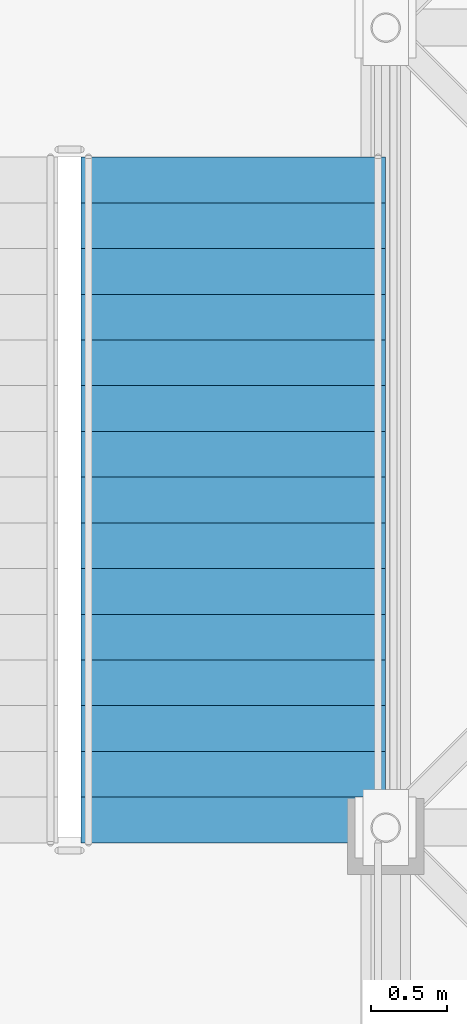
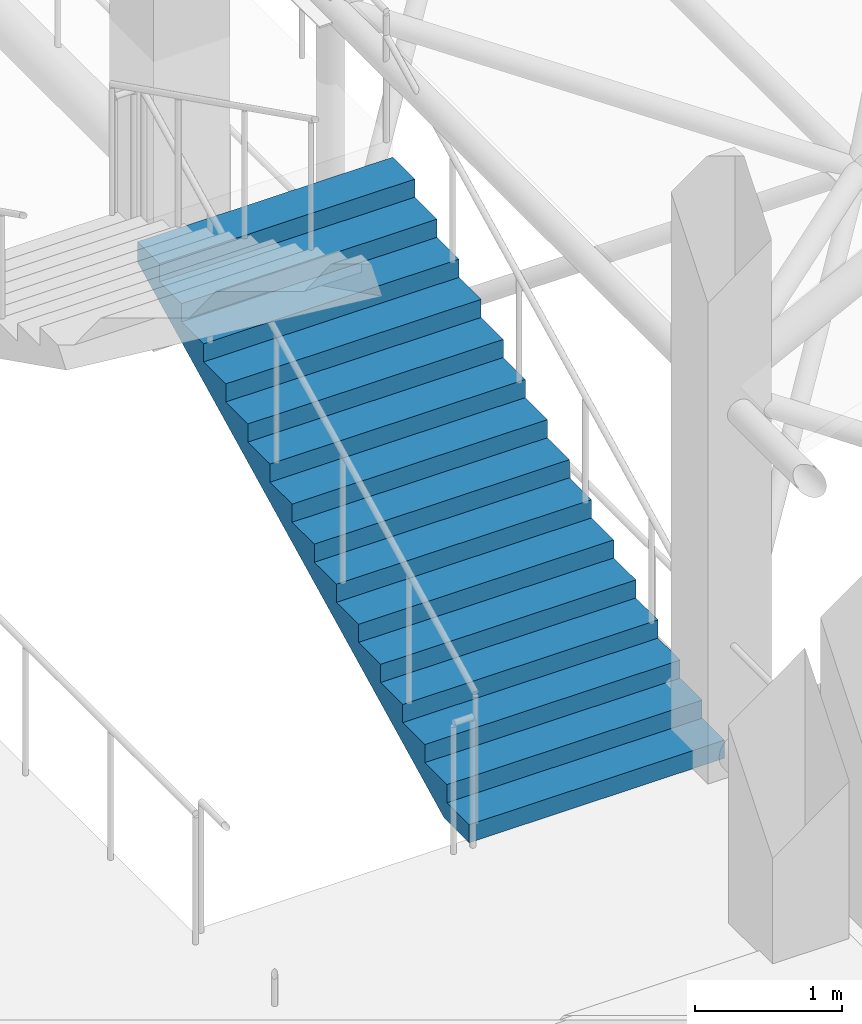
# One storey, part 82 of 100: 1 stair flight, 1 element without a shape of its own.
"""IFC4 building model written with IfcOpenShell, lengths in metres."""

import ifcopenshell
import ifcopenshell.guid

model = None  # the IFC model being written
_history = None  # IfcOwnerHistory: only IFC2X3 demands one
_inside = {}  # id of a spatial element -> (the spatial element, [elements in it])
_under = {}  # id of a project, library or spatial element -> (it, [spatial elements below it])
_declared = {}  # id of a project -> (the project, [libraries it declares])
_typed = {}  # id of a type object -> (the type object, [elements of that type])
_made_of = {}  # id of a material, layer set ... -> (it, [elements and type objects made of it])


def new_model(schema):
    """Start an empty IFC model of exactly this schema.

    Asked for "IFC4X3", IfcOpenShell would pick the latest addendum, in which some entities
    have other attributes; the version numbers below select the first issue.
    IFC2X3 requires an IfcOwnerHistory on every rooted entity: one is made here for all.
    """
    global model, _history
    if schema == "IFC4X3":
        model = ifcopenshell.file(schema_version=(4, 3, 0, 0))
    else:
        model = ifcopenshell.file(schema=schema)
    _inside.clear()
    _under.clear()
    _declared.clear()
    _typed.clear()
    _made_of.clear()
    _history = None
    if model.schema == "IFC2X3":
        org = make("IfcOrganization", Name="unknown")
        user = make(
            "IfcPersonAndOrganization",
            ThePerson=make("IfcPerson", FamilyName="unknown"),
            TheOrganization=org,
        )
        app = make(
            "IfcApplication",
            ApplicationDeveloper=org,
            Version="unknown",
            ApplicationFullName="unknown",
            ApplicationIdentifier="unknown",
        )
        _history = make(
            "IfcOwnerHistory",
            OwningUser=user,
            OwningApplication=app,
            ChangeAction="ADDED",
            CreationDate=0,
        )
    return model


def make(cls, **values):
    """One entity of the class cls with the attributes given. An attribute that is None is left unset."""
    return model.create_entity(
        cls, **{name: value for name, value in values.items() if value is not None}
    )


def rooted(cls, **values):
    """An entity with a GlobalId (a new one), such as an element, a storey or a relation."""
    return make(cls, GlobalId=ifcopenshell.guid.new(), OwnerHistory=_history, **values)


def si_unit(unit_type, name, prefix=None):
    """IfcSIUnit, for example si_unit("LENGTHUNIT", "METRE", prefix="MILLI")."""
    return make("IfcSIUnit", UnitType=unit_type, Prefix=prefix, Name=name)


def assignment(units):
    """IfcUnitAssignment: the units of a project."""
    return None if units is None else make("IfcUnitAssignment", Units=units)


def point(xyz):
    """IfcCartesianPoint."""
    return None if xyz is None else make("IfcCartesianPoint", Coordinates=xyz)


def direction(xyz):
    """IfcDirection."""
    return None if xyz is None else make("IfcDirection", DirectionRatios=xyz)


def frame(location, z_axis=None, x_axis=None):
    """IfcAxis2Placement3D, a coordinate frame: its origin and axes. An axis left out is left unset."""
    return make(
        "IfcAxis2Placement3D",
        Location=point(location),
        Axis=direction(z_axis),
        RefDirection=direction(x_axis),
    )


def origin():
    """The frame at (0, 0, 0) with its axes left unset."""
    return frame((0.0, 0.0, 0.0))


def place(relative_to, where):
    """IfcLocalPlacement: puts the frame where relative to a parent placement (None: the world)."""
    return make(
        "IfcLocalPlacement", PlacementRelTo=relative_to, RelativePlacement=where
    )


def context(
    kind, dimensions, precision=None, world=None, true_north=None, identifier=None
):
    """IfcGeometricRepresentationContext, for example the 3D "Model" context."""
    return make(
        "IfcGeometricRepresentationContext",
        ContextIdentifier=identifier,
        ContextType=kind,
        CoordinateSpaceDimension=dimensions,
        Precision=precision,
        WorldCoordinateSystem=world,
        TrueNorth=true_north,
    )


def subcontext(parent, identifier, kind, view, scale=None):
    """IfcGeometricRepresentationSubContext, for example "Body" below "Model"."""
    return make(
        "IfcGeometricRepresentationSubContext",
        ContextIdentifier=identifier,
        ContextType=kind,
        ParentContext=parent,
        TargetScale=scale,
        TargetView=view,
    )


def project(units=None, contexts=None):
    """IfcProject with its units and contexts."""
    return rooted(
        "IfcProject",
        Name="project",
        RepresentationContexts=contexts,
        UnitsInContext=assignment(units),
    )


def spatial(cls, under=None, at=None, **own):
    """A site, building, storey or space (cls), placed at a placement, below another one or the project."""
    s = rooted(cls, ObjectPlacement=at, **own)
    if under is not None:
        _under.setdefault(under.id(), (under, []))[1].append(s)
    return s


def faces_of(points, faces, orient=None, outer=None):
    """IfcFace entities. A face is a list of loops; a loop is a list of indices into points, from 0.

    orient and outer hold one flag for each loop. By default every Orientation is true, the
    first loop of a face is its IfcFaceOuterBound and the others are IfcFaceBound.
    """
    made = []
    for i, loops in enumerate(faces):
        bounds = []
        for j, loop in enumerate(loops):
            is_outer = j == 0 if outer is None else outer[i][j]
            bounds.append(
                make(
                    "IfcFaceOuterBound" if is_outer else "IfcFaceBound",
                    Bound=make("IfcPolyLoop", Polygon=[points[k] for k in loop]),
                    Orientation=True if orient is None else orient[i][j],
                )
            )
        made.append(make("IfcFace", Bounds=bounds))
    return made


def faceted_brep(points, faces, orient=None, outer=None, voids=None):
    """IfcFacetedBrep: a solid bounded by flat faces; with voids (closed shells), ...WithVoids."""
    shared = [point(p) for p in points]
    hull = make("IfcClosedShell", CfsFaces=faces_of(shared, faces, orient, outer))
    if voids is None:
        return make("IfcFacetedBrep", Outer=hull)
    return make(
        "IfcFacetedBrepWithVoids",
        Outer=hull,
        Voids=[
            make(cls, CfsFaces=faces_of(shared, fs, o, b)) for cls, fs, o, b in voids
        ],
    )


def shape(context_of_items, identifier, shape_type, items):
    """IfcShapeRepresentation: the items that make up one representation, for example the "Body"."""
    return make(
        "IfcShapeRepresentation",
        ContextOfItems=context_of_items,
        RepresentationIdentifier=identifier,
        RepresentationType=shape_type,
        Items=items,
    )


def material(Name=None, Category=None):
    """IfcMaterial."""
    return make("IfcMaterial", Name=Name, Category=Category)


def made_of(thing, what):
    """Note that an element or type object is made of a material, layer set ...; save() writes the relation."""
    if what is not None:
        _made_of.setdefault(what.id(), (what, []))[1].append(thing)
    return thing


def type_object(cls, material=None, **own):
    """A type object (cls), such as IfcWallType, which elements share."""
    return made_of(rooted(cls, **own), material)


def element(
    cls,
    number,
    at=None,
    inside=None,
    cuts=None,
    type_object=None,
    material=None,
    context=None,
    identifier="Body",
    shape_type=None,
    held_by="IfcProductDefinitionShape",
    body=None,
    shapes=None,
    **own,
):
    """One element of the class cls, such as IfcWall. Its Tag is "e" and its number.

    at: its placement. inside: the storey or other place that contains it. cuts: it is an
    opening in that element (IfcRelVoidsElement). A single representation is given by context,
    identifier, shape_type and body (its items); several are given by shapes. held_by: the class
    of the entity that holds the representations. save() writes the other relations.
    """
    e = rooted(cls, Tag="e%d" % number, ObjectPlacement=at, **own)
    if body is not None:
        shapes = [shape(context, identifier, shape_type, body)]
    if shapes is not None:
        e.Representation = make(held_by, Representations=shapes)
    if inside is not None:
        _inside.setdefault(inside.id(), (inside, []))[1].append(e)
    if cuts is not None:
        rooted(
            "IfcRelVoidsElement", RelatingBuildingElement=cuts, RelatedOpeningElement=e
        )
    if type_object is not None:
        _typed.setdefault(type_object.id(), (type_object, []))[1].append(e)
    return made_of(e, material)


def aggregate(whole, parts):
    """IfcRelAggregates: a whole, such as a stair, and the parts it consists of."""
    return rooted("IfcRelAggregates", RelatingObject=whole, RelatedObjects=parts)


def save(model, path):
    """Write the relations noted so far, then the file.

    IfcRelAggregates (storeys below a building ...), IfcRelContainedInSpatialStructure (elements
    in a storey), IfcRelDefinesByType, IfcRelAssociatesMaterial and IfcRelDeclares: one each for
    every whole, place, type object, material and project.
    """
    for whole, parts in _under.values():
        aggregate(whole, parts)
    for where, things in _inside.values():
        rooted(
            "IfcRelContainedInSpatialStructure",
            RelatedElements=things,
            RelatingStructure=where,
        )
    for kind, things in _typed.values():
        rooted("IfcRelDefinesByType", RelatedObjects=things, RelatingType=kind)
    for what, things in _made_of.values():
        rooted("IfcRelAssociatesMaterial", RelatedObjects=things, RelatingMaterial=what)
    for by, libraries in _declared.values():
        rooted("IfcRelDeclares", RelatingContext=by, RelatedDefinitions=libraries)
    model.write(path)


model = new_model("IFC4")

# Units and contexts
model_context = context("Model", 3, precision=1e-05, world=origin(), true_north=direction((0.0, 1.0)))
body_context = subcontext(model_context, "Body", "Model", "MODEL_VIEW")
ifc_project = project(units=[si_unit("LENGTHUNIT", "METRE"), si_unit("AREAUNIT", "SQUARE_METRE"), si_unit("VOLUMEUNIT", "CUBIC_METRE"), si_unit("PLANEANGLEUNIT", "RADIAN"), si_unit("MASSUNIT", "GRAM", prefix="KILO")], contexts=[model_context])

# Site, building, storey
site_placement = place(None, origin())
site = spatial("IfcSite", under=ifc_project, at=site_placement, CompositionType="ELEMENT")
building_placement = place(site_placement, origin())
building = spatial("IfcBuilding", under=site, at=building_placement, Name="Kiln Court Media Centre", CompositionType="ELEMENT")
storey_placement = place(building_placement, frame((0.0, 0.0, 15.0)))
storey = spatial("IfcBuildingStorey", under=building, at=storey_placement, Name="L03", CompositionType="ELEMENT", Elevation=15.0)

# Stair, stair flight
ifc_material_1 = material(Name="Concrete C40/50", Category="concrete")
stair_type = type_object("IfcStairType", Name="Concrete C40/50 dog-leg stair 2000 wide, 150 riser", PredefinedType="HALF_TURN_STAIR", material=ifc_material_1)
stair_placement = place(storey_placement, origin())
stair = element("IfcStair", 1, at=stair_placement, inside=storey, type_object=stair_type, Name="ST-F1 L03", PredefinedType="HALF_TURN_STAIR")
ifc_material_2 = material(Name="Concrete C40/50", Category="concrete")
stair_flight_type = type_object("IfcStairFlightType", Name="Concrete C40/50 stair flight 2000 wide, 150 riser, 300 going", PredefinedType="STRAIGHT", material=ifc_material_2)
stair_flight_placement = place(storey_placement, frame((57.800048828125, 35.60009765625, 0.0), z_axis=(0.0, 0.0, 1.0), x_axis=(0.0, 1.0, 0.0)))
stair_flight = element("IfcStairFlight", 2, at=stair_flight_placement, type_object=stair_flight_type, Name="L03-ST-5009 flight 5018", NumberOfRisers=16, NumberOfTreads=15, PredefinedType="STRAIGHT", RiserHeight=0.15, TreadLength=0.3, context=body_context, shape_type="Brep", body=[
    faceted_brep([(0.335205078125, -1.0, 0.0), (4.5, -1.0, 2.08251953125), (4.5, -1.0, 2.25), (4.199951171875, -1.0, 2.25), (4.199951171875, -1.0, 2.10009765625), (3.89990234375, -1.0, 2.10009765625), (3.89990234375, -1.0, 1.949951171875), (3.60009765625, -1.0, 1.949951171875), (3.60009765625, -1.0, 1.800048828125), (3.300048828125, -1.0, 1.800048828125), (3.300048828125, -1.0, 1.64990234375), (3.0, -1.0, 1.64990234375), (3.0, -1.0, 1.5), (2.699951171875, -1.0, 1.5), (2.699951171875, -1.0, 1.35009765625), (2.39990234375, -1.0, 1.35009765625), (2.39990234375, -1.0, 1.199951171875), (2.10009765625, -1.0, 1.199951171875), (2.10009765625, -1.0, 1.050048828125), (1.800048828125, -1.0, 1.050048828125), (1.800048828125, -1.0, 0.89990234375), (1.5, -1.0, 0.89990234375), (1.5, -1.0, 0.75), (1.199951171875, -1.0, 0.75), (1.199951171875, -1.0, 0.60009765625), (0.89990234375, -1.0, 0.60009765625), (0.89990234375, -1.0, 0.449951171875), (0.60009765625, -1.0, 0.449951171875), (0.60009765625, -1.0, 0.300048828125), (0.300048828125, -1.0, 0.300048828125), (0.300048828125, -1.0, 0.14990234375), (0.0, -1.0, 0.14990234375), (0.0, -1.0, 0.0), (0.0, 1.0, 0.0), (0.0, 1.0, 0.14990234375), (0.300048828125, 1.0, 0.14990234375), (0.300048828125, 1.0, 0.300048828125), (0.60009765625, 1.0, 0.300048828125), (0.60009765625, 1.0, 0.449951171875), (0.89990234375, 1.0, 0.449951171875), (0.89990234375, 1.0, 0.60009765625), (1.199951171875, 1.0, 0.60009765625), (1.199951171875, 1.0, 0.75), (1.5, 1.0, 0.75), (1.5, 1.0, 0.89990234375), (1.800048828125, 1.0, 0.89990234375), (1.800048828125, 1.0, 1.050048828125), (2.10009765625, 1.0, 1.050048828125), (2.10009765625, 1.0, 1.199951171875), (2.39990234375, 1.0, 1.199951171875), (2.39990234375, 1.0, 1.35009765625), (2.699951171875, 1.0, 1.35009765625), (2.699951171875, 1.0, 1.5), (3.0, 1.0, 1.5), (3.0, 1.0, 1.64990234375), (3.300048828125, 1.0, 1.64990234375), (3.300048828125, 1.0, 1.800048828125), (3.60009765625, 1.0, 1.800048828125), (3.60009765625, 1.0, 1.949951171875), (3.89990234375, 1.0, 1.949951171875), (3.89990234375, 1.0, 2.10009765625), (4.199951171875, 1.0, 2.10009765625), (4.199951171875, 1.0, 2.25), (4.5, 1.0, 2.25), (4.5, 1.0, 2.08251953125), (0.335205078125, 1.0, 0.0), (4.5, 0.10009765625, 2.08251953125), (0.335205078125, 0.10009765625, 0.0), (4.5, 0.080078125, 2.08251953125), (0.335205078125, 0.080078125, 0.0), (4.5, 0.06005859375, 2.08251953125), (0.335205078125, 0.06005859375, 0.0), (4.5, 0.0400390625, 2.08251953125), (0.335205078125, 0.0400390625, 0.0), (4.5, 0.02001953125, 2.08251953125), (0.335205078125, 0.02001953125, 0.0), (4.5, 0.0, 2.08251953125), (0.335205078125, 0.0, 0.0), (4.5, -0.02001953125, 2.08251953125), (0.335205078125, -0.02001953125, 0.0), (4.5, -0.0400390625, 2.08251953125), (0.335205078125, -0.0400390625, 0.0), (4.5, -0.06005859375, 2.08251953125), (0.335205078125, -0.06005859375, 0.0), (4.5, -0.080078125, 2.08251953125), (0.335205078125, -0.080078125, 0.0), (4.5, -0.10009765625, 2.08251953125), (0.335205078125, -0.10009765625, 0.0), (4.5, 0.10009765625, 2.25), (4.5, 0.080078125, 2.25), (4.5, 0.06005859375, 2.25), (4.5, 0.0400390625, 2.25), (4.5, 0.02001953125, 2.25), (4.5, 0.0, 2.25), (4.5, -0.02001953125, 2.25), (4.5, -0.0400390625, 2.25), (4.5, -0.06005859375, 2.25), (4.5, -0.080078125, 2.25), (4.5, -0.10009765625, 2.25), (4.199951171875, 0.10009765625, 2.25), (4.199951171875, 0.080078125, 2.25), (4.199951171875, 0.06005859375, 2.25), (4.199951171875, 0.0400390625, 2.25), (4.199951171875, 0.02001953125, 2.25), (4.199951171875, 0.0, 2.25), (4.199951171875, -0.02001953125, 2.25), (4.199951171875, -0.0400390625, 2.25), (4.199951171875, -0.06005859375, 2.25), (4.199951171875, -0.080078125, 2.25), (4.199951171875, -0.10009765625, 2.25), (4.199951171875, 0.10009765625, 2.10009765625), (4.199951171875, 0.080078125, 2.10009765625), (4.199951171875, 0.06005859375, 2.10009765625), (4.199951171875, 0.0400390625, 2.10009765625), (4.199951171875, 0.02001953125, 2.10009765625), (4.199951171875, 0.0, 2.10009765625), (4.199951171875, -0.02001953125, 2.10009765625), (4.199951171875, -0.0400390625, 2.10009765625), (4.199951171875, -0.06005859375, 2.10009765625), (4.199951171875, -0.080078125, 2.10009765625), (4.199951171875, -0.10009765625, 2.10009765625), (3.89990234375, 0.10009765625, 2.10009765625), (3.89990234375, 0.080078125, 2.10009765625), (3.89990234375, 0.06005859375, 2.10009765625), (3.89990234375, 0.0400390625, 2.10009765625), (3.89990234375, 0.02001953125, 2.10009765625), (3.89990234375, 0.0, 2.10009765625), (3.89990234375, -0.02001953125, 2.10009765625), (3.89990234375, -0.0400390625, 2.10009765625), (3.89990234375, -0.06005859375, 2.10009765625), (3.89990234375, -0.080078125, 2.10009765625), (3.89990234375, -0.10009765625, 2.10009765625), (3.89990234375, 0.10009765625, 1.949951171875), (3.89990234375, 0.080078125, 1.949951171875), (3.89990234375, 0.06005859375, 1.949951171875), (3.89990234375, 0.0400390625, 1.949951171875), (3.89990234375, 0.02001953125, 1.949951171875), (3.89990234375, 0.0, 1.949951171875), (3.89990234375, -0.02001953125, 1.949951171875), (3.89990234375, -0.0400390625, 1.949951171875), (3.89990234375, -0.06005859375, 1.949951171875), (3.89990234375, -0.080078125, 1.949951171875), (3.89990234375, -0.10009765625, 1.949951171875), (3.60009765625, 0.10009765625, 1.949951171875), (3.60009765625, 0.080078125, 1.949951171875), (3.60009765625, 0.06005859375, 1.949951171875), (3.60009765625, 0.0400390625, 1.949951171875), (3.60009765625, 0.02001953125, 1.949951171875), (3.60009765625, 0.0, 1.949951171875), (3.60009765625, -0.02001953125, 1.949951171875), (3.60009765625, -0.0400390625, 1.949951171875), (3.60009765625, -0.06005859375, 1.949951171875), (3.60009765625, -0.080078125, 1.949951171875), (3.60009765625, -0.10009765625, 1.949951171875), (3.60009765625, 0.10009765625, 1.800048828125), (3.60009765625, 0.080078125, 1.800048828125), (3.60009765625, 0.06005859375, 1.800048828125), (3.60009765625, 0.0400390625, 1.800048828125), (3.60009765625, 0.02001953125, 1.800048828125), (3.60009765625, 0.0, 1.800048828125), (3.60009765625, -0.02001953125, 1.800048828125), (3.60009765625, -0.0400390625, 1.800048828125), (3.60009765625, -0.06005859375, 1.800048828125), (3.60009765625, -0.080078125, 1.800048828125), (3.60009765625, -0.10009765625, 1.800048828125), (3.300048828125, 0.10009765625, 1.800048828125), (3.300048828125, 0.080078125, 1.800048828125), (3.300048828125, 0.06005859375, 1.800048828125), (3.300048828125, 0.0400390625, 1.800048828125), (3.300048828125, 0.02001953125, 1.800048828125), (3.300048828125, 0.0, 1.800048828125), (3.300048828125, -0.02001953125, 1.800048828125), (3.300048828125, -0.0400390625, 1.800048828125), (3.300048828125, -0.06005859375, 1.800048828125), (3.300048828125, -0.080078125, 1.800048828125), (3.300048828125, -0.10009765625, 1.800048828125), (3.300048828125, 0.10009765625, 1.64990234375), (3.300048828125, 0.080078125, 1.64990234375), (3.300048828125, 0.06005859375, 1.64990234375), (3.300048828125, 0.0400390625, 1.64990234375), (3.300048828125, 0.02001953125, 1.64990234375), (3.300048828125, 0.0, 1.64990234375), (3.300048828125, -0.02001953125, 1.64990234375), (3.300048828125, -0.0400390625, 1.64990234375), (3.300048828125, -0.06005859375, 1.64990234375), (3.300048828125, -0.080078125, 1.64990234375), (3.300048828125, -0.10009765625, 1.64990234375), (3.0, 0.10009765625, 1.64990234375), (3.0, 0.080078125, 1.64990234375), (3.0, 0.06005859375, 1.64990234375), (3.0, 0.0400390625, 1.64990234375), (3.0, 0.02001953125, 1.64990234375), (3.0, 0.0, 1.64990234375), (3.0, -0.02001953125, 1.64990234375), (3.0, -0.0400390625, 1.64990234375), (3.0, -0.06005859375, 1.64990234375), (3.0, -0.080078125, 1.64990234375), (3.0, -0.10009765625, 1.64990234375), (3.0, 0.10009765625, 1.5), (3.0, 0.080078125, 1.5), (3.0, 0.06005859375, 1.5), (3.0, 0.0400390625, 1.5), (3.0, 0.02001953125, 1.5), (3.0, 0.0, 1.5), (3.0, -0.02001953125, 1.5), (3.0, -0.0400390625, 1.5), (3.0, -0.06005859375, 1.5), (3.0, -0.080078125, 1.5), (3.0, -0.10009765625, 1.5), (2.699951171875, 0.10009765625, 1.5), (2.699951171875, 0.080078125, 1.5), (2.699951171875, 0.06005859375, 1.5), (2.699951171875, 0.0400390625, 1.5), (2.699951171875, 0.02001953125, 1.5), (2.699951171875, 0.0, 1.5), (2.699951171875, -0.02001953125, 1.5), (2.699951171875, -0.0400390625, 1.5), (2.699951171875, -0.06005859375, 1.5), (2.699951171875, -0.080078125, 1.5), (2.699951171875, -0.10009765625, 1.5), (2.699951171875, 0.10009765625, 1.35009765625), (2.699951171875, 0.080078125, 1.35009765625), (2.699951171875, 0.06005859375, 1.35009765625), (2.699951171875, 0.0400390625, 1.35009765625), (2.699951171875, 0.02001953125, 1.35009765625), (2.699951171875, 0.0, 1.35009765625), (2.699951171875, -0.02001953125, 1.35009765625), (2.699951171875, -0.0400390625, 1.35009765625), (2.699951171875, -0.06005859375, 1.35009765625), (2.699951171875, -0.080078125, 1.35009765625), (2.699951171875, -0.10009765625, 1.35009765625), (2.39990234375, 0.10009765625, 1.35009765625), (2.39990234375, 0.080078125, 1.35009765625), (2.39990234375, 0.06005859375, 1.35009765625), (2.39990234375, 0.0400390625, 1.35009765625), (2.39990234375, 0.02001953125, 1.35009765625), (2.39990234375, 0.0, 1.35009765625), (2.39990234375, -0.02001953125, 1.35009765625), (2.39990234375, -0.0400390625, 1.35009765625), (2.39990234375, -0.06005859375, 1.35009765625), (2.39990234375, -0.080078125, 1.35009765625), (2.39990234375, -0.10009765625, 1.35009765625), (2.39990234375, 0.10009765625, 1.199951171875), (2.39990234375, 0.080078125, 1.199951171875), (2.39990234375, 0.06005859375, 1.199951171875), (2.39990234375, 0.0400390625, 1.199951171875), (2.39990234375, 0.02001953125, 1.199951171875), (2.39990234375, 0.0, 1.199951171875), (2.39990234375, -0.02001953125, 1.199951171875), (2.39990234375, -0.0400390625, 1.199951171875), (2.39990234375, -0.06005859375, 1.199951171875), (2.39990234375, -0.080078125, 1.199951171875), (2.39990234375, -0.10009765625, 1.199951171875), (2.10009765625, 0.10009765625, 1.199951171875), (2.10009765625, 0.080078125, 1.199951171875), (2.10009765625, 0.06005859375, 1.199951171875), (2.10009765625, 0.0400390625, 1.199951171875), (2.10009765625, 0.02001953125, 1.199951171875), (2.10009765625, 0.0, 1.199951171875), (2.10009765625, -0.02001953125, 1.199951171875), (2.10009765625, -0.0400390625, 1.199951171875), (2.10009765625, -0.06005859375, 1.199951171875), (2.10009765625, -0.080078125, 1.199951171875), (2.10009765625, -0.10009765625, 1.199951171875), (2.10009765625, 0.10009765625, 1.050048828125), (2.10009765625, 0.080078125, 1.050048828125), (2.10009765625, 0.06005859375, 1.050048828125), (2.10009765625, 0.0400390625, 1.050048828125), (2.10009765625, 0.02001953125, 1.050048828125), (2.10009765625, 0.0, 1.050048828125), (2.10009765625, -0.02001953125, 1.050048828125), (2.10009765625, -0.0400390625, 1.050048828125), (2.10009765625, -0.06005859375, 1.050048828125), (2.10009765625, -0.080078125, 1.050048828125), (2.10009765625, -0.10009765625, 1.050048828125), (1.800048828125, 0.10009765625, 1.050048828125), (1.800048828125, 0.080078125, 1.050048828125), (1.800048828125, 0.06005859375, 1.050048828125), (1.800048828125, 0.0400390625, 1.050048828125), (1.800048828125, 0.02001953125, 1.050048828125), (1.800048828125, 0.0, 1.050048828125), (1.800048828125, -0.02001953125, 1.050048828125), (1.800048828125, -0.0400390625, 1.050048828125), (1.800048828125, -0.06005859375, 1.050048828125), (1.800048828125, -0.080078125, 1.050048828125), (1.800048828125, -0.10009765625, 1.050048828125), (1.800048828125, 0.10009765625, 0.89990234375), (1.800048828125, 0.080078125, 0.89990234375), (1.800048828125, 0.06005859375, 0.89990234375), (1.800048828125, 0.0400390625, 0.89990234375), (1.800048828125, 0.02001953125, 0.89990234375), (1.800048828125, 0.0, 0.89990234375), (1.800048828125, -0.02001953125, 0.89990234375), (1.800048828125, -0.0400390625, 0.89990234375), (1.800048828125, -0.06005859375, 0.89990234375), (1.800048828125, -0.080078125, 0.89990234375), (1.800048828125, -0.10009765625, 0.89990234375), (1.5, 0.10009765625, 0.89990234375), (1.5, 0.080078125, 0.89990234375), (1.5, 0.06005859375, 0.89990234375), (1.5, 0.0400390625, 0.89990234375), (1.5, 0.02001953125, 0.89990234375), (1.5, 0.0, 0.89990234375), (1.5, -0.02001953125, 0.89990234375), (1.5, -0.0400390625, 0.89990234375), (1.5, -0.06005859375, 0.89990234375), (1.5, -0.080078125, 0.89990234375), (1.5, -0.10009765625, 0.89990234375), (1.5, 0.10009765625, 0.75), (1.5, 0.080078125, 0.75), (1.5, 0.06005859375, 0.75), (1.5, 0.0400390625, 0.75), (1.5, 0.02001953125, 0.75), (1.5, 0.0, 0.75), (1.5, -0.02001953125, 0.75), (1.5, -0.0400390625, 0.75), (1.5, -0.06005859375, 0.75), (1.5, -0.080078125, 0.75), (1.5, -0.10009765625, 0.75), (1.199951171875, 0.10009765625, 0.75), (1.199951171875, 0.080078125, 0.75), (1.199951171875, 0.06005859375, 0.75), (1.199951171875, 0.0400390625, 0.75), (1.199951171875, 0.02001953125, 0.75), (1.199951171875, 0.0, 0.75), (1.199951171875, -0.02001953125, 0.75), (1.199951171875, -0.0400390625, 0.75), (1.199951171875, -0.06005859375, 0.75), (1.199951171875, -0.080078125, 0.75), (1.199951171875, -0.10009765625, 0.75), (1.199951171875, 0.10009765625, 0.60009765625), (1.199951171875, 0.080078125, 0.60009765625), (1.199951171875, 0.06005859375, 0.60009765625), (1.199951171875, 0.0400390625, 0.60009765625), (1.199951171875, 0.02001953125, 0.60009765625), (1.199951171875, 0.0, 0.60009765625), (1.199951171875, -0.02001953125, 0.60009765625), (1.199951171875, -0.0400390625, 0.60009765625), (1.199951171875, -0.06005859375, 0.60009765625), (1.199951171875, -0.080078125, 0.60009765625), (1.199951171875, -0.10009765625, 0.60009765625), (0.89990234375, 0.10009765625, 0.60009765625), (0.89990234375, 0.080078125, 0.60009765625), (0.89990234375, 0.06005859375, 0.60009765625), (0.89990234375, 0.0400390625, 0.60009765625), (0.89990234375, 0.02001953125, 0.60009765625), (0.89990234375, 0.0, 0.60009765625), (0.89990234375, -0.02001953125, 0.60009765625), (0.89990234375, -0.0400390625, 0.60009765625), (0.89990234375, -0.06005859375, 0.60009765625), (0.89990234375, -0.080078125, 0.60009765625), (0.89990234375, -0.10009765625, 0.60009765625), (0.89990234375, 0.10009765625, 0.449951171875), (0.89990234375, 0.080078125, 0.449951171875), (0.89990234375, 0.06005859375, 0.449951171875), (0.89990234375, 0.0400390625, 0.449951171875), (0.89990234375, 0.02001953125, 0.449951171875), (0.89990234375, 0.0, 0.449951171875), (0.89990234375, -0.02001953125, 0.449951171875), (0.89990234375, -0.0400390625, 0.449951171875), (0.89990234375, -0.06005859375, 0.449951171875), (0.89990234375, -0.080078125, 0.449951171875), (0.89990234375, -0.10009765625, 0.449951171875), (0.60009765625, 0.10009765625, 0.449951171875), (0.60009765625, 0.080078125, 0.449951171875), (0.60009765625, 0.06005859375, 0.449951171875), (0.60009765625, 0.0400390625, 0.449951171875), (0.60009765625, 0.02001953125, 0.449951171875), (0.60009765625, 0.0, 0.449951171875), (0.60009765625, -0.02001953125, 0.449951171875), (0.60009765625, -0.0400390625, 0.449951171875), (0.60009765625, -0.06005859375, 0.449951171875), (0.60009765625, -0.080078125, 0.449951171875), (0.60009765625, -0.10009765625, 0.449951171875), (0.60009765625, 0.10009765625, 0.300048828125), (0.60009765625, 0.080078125, 0.300048828125), (0.60009765625, 0.06005859375, 0.300048828125), (0.60009765625, 0.0400390625, 0.300048828125), (0.60009765625, 0.02001953125, 0.300048828125), (0.60009765625, 0.0, 0.300048828125), (0.60009765625, -0.02001953125, 0.300048828125), (0.60009765625, -0.0400390625, 0.300048828125), (0.60009765625, -0.06005859375, 0.300048828125), (0.60009765625, -0.080078125, 0.300048828125), (0.60009765625, -0.10009765625, 0.300048828125), (0.300048828125, 0.10009765625, 0.300048828125), (0.300048828125, 0.080078125, 0.300048828125), (0.300048828125, 0.06005859375, 0.300048828125), (0.300048828125, 0.0400390625, 0.300048828125), (0.300048828125, 0.02001953125, 0.300048828125), (0.300048828125, 0.0, 0.300048828125), (0.300048828125, -0.02001953125, 0.300048828125), (0.300048828125, -0.0400390625, 0.300048828125), (0.300048828125, -0.06005859375, 0.300048828125), (0.300048828125, -0.080078125, 0.300048828125), (0.300048828125, -0.10009765625, 0.300048828125), (0.300048828125, 0.10009765625, 0.14990234375), (0.300048828125, 0.080078125, 0.14990234375), (0.300048828125, 0.06005859375, 0.14990234375), (0.300048828125, 0.0400390625, 0.14990234375), (0.300048828125, 0.02001953125, 0.14990234375), (0.300048828125, 0.0, 0.14990234375), (0.300048828125, -0.02001953125, 0.14990234375), (0.300048828125, -0.0400390625, 0.14990234375), (0.300048828125, -0.06005859375, 0.14990234375), (0.300048828125, -0.080078125, 0.14990234375), (0.300048828125, -0.10009765625, 0.14990234375), (0.0, 0.10009765625, 0.14990234375), (0.0, 0.080078125, 0.14990234375), (0.0, 0.06005859375, 0.14990234375), (0.0, 0.0400390625, 0.14990234375), (0.0, 0.02001953125, 0.14990234375), (0.0, 0.0, 0.14990234375), (0.0, -0.02001953125, 0.14990234375), (0.0, -0.0400390625, 0.14990234375), (0.0, -0.06005859375, 0.14990234375), (0.0, -0.080078125, 0.14990234375), (0.0, -0.10009765625, 0.14990234375), (0.0, 0.10009765625, 0.0), (0.0, 0.080078125, 0.0), (0.0, 0.06005859375, 0.0), (0.0, 0.0400390625, 0.0), (0.0, 0.02001953125, 0.0), (0.0, 0.0, 0.0), (0.0, -0.02001953125, 0.0), (0.0, -0.0400390625, 0.0), (0.0, -0.06005859375, 0.0), (0.0, -0.080078125, 0.0), (0.0, -0.10009765625, 0.0)], [[[0, 1, 2, 3, 4, 5, 6, 7, 8, 9, 10, 11, 12, 13, 14, 15, 16, 17, 18, 19, 20, 21, 22, 23, 24, 25, 26, 27, 28, 29, 30, 31, 32]], [[33, 34, 35, 36, 37, 38, 39, 40, 41, 42, 43, 44, 45, 46, 47, 48, 49, 50, 51, 52, 53, 54, 55, 56, 57, 58, 59, 60, 61, 62, 63, 64, 65]], [[65, 64, 66, 67]], [[67, 66, 68, 69]], [[69, 68, 70, 71]], [[71, 70, 72, 73]], [[73, 72, 74, 75]], [[75, 74, 76, 77]], [[77, 76, 78, 79]], [[79, 78, 80, 81]], [[81, 80, 82, 83]], [[83, 82, 84, 85]], [[85, 84, 86, 87]], [[87, 86, 1, 0]], [[64, 63, 88, 66]], [[66, 88, 89, 68]], [[68, 89, 90, 70]], [[70, 90, 91, 72]], [[72, 91, 92, 74]], [[74, 92, 93, 76]], [[76, 93, 94, 78]], [[78, 94, 95, 80]], [[80, 95, 96, 82]], [[82, 96, 97, 84]], [[84, 97, 98, 86]], [[86, 98, 2, 1]], [[63, 62, 99, 88]], [[88, 99, 100, 89]], [[89, 100, 101, 90]], [[90, 101, 102, 91]], [[91, 102, 103, 92]], [[92, 103, 104, 93]], [[93, 104, 105, 94]], [[94, 105, 106, 95]], [[95, 106, 107, 96]], [[96, 107, 108, 97]], [[97, 108, 109, 98]], [[98, 109, 3, 2]], [[62, 61, 110, 99]], [[99, 110, 111, 100]], [[100, 111, 112, 101]], [[101, 112, 113, 102]], [[102, 113, 114, 103]], [[103, 114, 115, 104]], [[104, 115, 116, 105]], [[105, 116, 117, 106]], [[106, 117, 118, 107]], [[107, 118, 119, 108]], [[108, 119, 120, 109]], [[109, 120, 4, 3]], [[61, 60, 121, 110]], [[110, 121, 122, 111]], [[111, 122, 123, 112]], [[112, 123, 124, 113]], [[113, 124, 125, 114]], [[114, 125, 126, 115]], [[115, 126, 127, 116]], [[116, 127, 128, 117]], [[117, 128, 129, 118]], [[118, 129, 130, 119]], [[119, 130, 131, 120]], [[120, 131, 5, 4]], [[60, 59, 132, 121]], [[121, 132, 133, 122]], [[122, 133, 134, 123]], [[123, 134, 135, 124]], [[124, 135, 136, 125]], [[125, 136, 137, 126]], [[126, 137, 138, 127]], [[127, 138, 139, 128]], [[128, 139, 140, 129]], [[129, 140, 141, 130]], [[130, 141, 142, 131]], [[131, 142, 6, 5]], [[59, 58, 143, 132]], [[132, 143, 144, 133]], [[133, 144, 145, 134]], [[134, 145, 146, 135]], [[135, 146, 147, 136]], [[136, 147, 148, 137]], [[137, 148, 149, 138]], [[138, 149, 150, 139]], [[139, 150, 151, 140]], [[140, 151, 152, 141]], [[141, 152, 153, 142]], [[142, 153, 7, 6]], [[58, 57, 154, 143]], [[143, 154, 155, 144]], [[144, 155, 156, 145]], [[145, 156, 157, 146]], [[146, 157, 158, 147]], [[147, 158, 159, 148]], [[148, 159, 160, 149]], [[149, 160, 161, 150]], [[150, 161, 162, 151]], [[151, 162, 163, 152]], [[152, 163, 164, 153]], [[153, 164, 8, 7]], [[57, 56, 165, 154]], [[154, 165, 166, 155]], [[155, 166, 167, 156]], [[156, 167, 168, 157]], [[157, 168, 169, 158]], [[158, 169, 170, 159]], [[159, 170, 171, 160]], [[160, 171, 172, 161]], [[161, 172, 173, 162]], [[162, 173, 174, 163]], [[163, 174, 175, 164]], [[164, 175, 9, 8]], [[56, 55, 176, 165]], [[165, 176, 177, 166]], [[166, 177, 178, 167]], [[167, 178, 179, 168]], [[168, 179, 180, 169]], [[169, 180, 181, 170]], [[170, 181, 182, 171]], [[171, 182, 183, 172]], [[172, 183, 184, 173]], [[173, 184, 185, 174]], [[174, 185, 186, 175]], [[175, 186, 10, 9]], [[55, 54, 187, 176]], [[176, 187, 188, 177]], [[177, 188, 189, 178]], [[178, 189, 190, 179]], [[179, 190, 191, 180]], [[180, 191, 192, 181]], [[181, 192, 193, 182]], [[182, 193, 194, 183]], [[183, 194, 195, 184]], [[184, 195, 196, 185]], [[185, 196, 197, 186]], [[186, 197, 11, 10]], [[54, 53, 198, 187]], [[187, 198, 199, 188]], [[188, 199, 200, 189]], [[189, 200, 201, 190]], [[190, 201, 202, 191]], [[191, 202, 203, 192]], [[192, 203, 204, 193]], [[193, 204, 205, 194]], [[194, 205, 206, 195]], [[195, 206, 207, 196]], [[196, 207, 208, 197]], [[197, 208, 12, 11]], [[53, 52, 209, 198]], [[198, 209, 210, 199]], [[199, 210, 211, 200]], [[200, 211, 212, 201]], [[201, 212, 213, 202]], [[202, 213, 214, 203]], [[203, 214, 215, 204]], [[204, 215, 216, 205]], [[205, 216, 217, 206]], [[206, 217, 218, 207]], [[207, 218, 219, 208]], [[208, 219, 13, 12]], [[52, 51, 220, 209]], [[209, 220, 221, 210]], [[210, 221, 222, 211]], [[211, 222, 223, 212]], [[212, 223, 224, 213]], [[213, 224, 225, 214]], [[214, 225, 226, 215]], [[215, 226, 227, 216]], [[216, 227, 228, 217]], [[217, 228, 229, 218]], [[218, 229, 230, 219]], [[219, 230, 14, 13]], [[51, 50, 231, 220]], [[220, 231, 232, 221]], [[221, 232, 233, 222]], [[222, 233, 234, 223]], [[223, 234, 235, 224]], [[224, 235, 236, 225]], [[225, 236, 237, 226]], [[226, 237, 238, 227]], [[227, 238, 239, 228]], [[228, 239, 240, 229]], [[229, 240, 241, 230]], [[230, 241, 15, 14]], [[50, 49, 242, 231]], [[231, 242, 243, 232]], [[232, 243, 244, 233]], [[233, 244, 245, 234]], [[234, 245, 246, 235]], [[235, 246, 247, 236]], [[236, 247, 248, 237]], [[237, 248, 249, 238]], [[238, 249, 250, 239]], [[239, 250, 251, 240]], [[240, 251, 252, 241]], [[241, 252, 16, 15]], [[49, 48, 253, 242]], [[242, 253, 254, 243]], [[243, 254, 255, 244]], [[244, 255, 256, 245]], [[245, 256, 257, 246]], [[246, 257, 258, 247]], [[247, 258, 259, 248]], [[248, 259, 260, 249]], [[249, 260, 261, 250]], [[250, 261, 262, 251]], [[251, 262, 263, 252]], [[252, 263, 17, 16]], [[48, 47, 264, 253]], [[253, 264, 265, 254]], [[254, 265, 266, 255]], [[255, 266, 267, 256]], [[256, 267, 268, 257]], [[257, 268, 269, 258]], [[258, 269, 270, 259]], [[259, 270, 271, 260]], [[260, 271, 272, 261]], [[261, 272, 273, 262]], [[262, 273, 274, 263]], [[263, 274, 18, 17]], [[47, 46, 275, 264]], [[264, 275, 276, 265]], [[265, 276, 277, 266]], [[266, 277, 278, 267]], [[267, 278, 279, 268]], [[268, 279, 280, 269]], [[269, 280, 281, 270]], [[270, 281, 282, 271]], [[271, 282, 283, 272]], [[272, 283, 284, 273]], [[273, 284, 285, 274]], [[274, 285, 19, 18]], [[46, 45, 286, 275]], [[275, 286, 287, 276]], [[276, 287, 288, 277]], [[277, 288, 289, 278]], [[278, 289, 290, 279]], [[279, 290, 291, 280]], [[280, 291, 292, 281]], [[281, 292, 293, 282]], [[282, 293, 294, 283]], [[283, 294, 295, 284]], [[284, 295, 296, 285]], [[285, 296, 20, 19]], [[45, 44, 297, 286]], [[286, 297, 298, 287]], [[287, 298, 299, 288]], [[288, 299, 300, 289]], [[289, 300, 301, 290]], [[290, 301, 302, 291]], [[291, 302, 303, 292]], [[292, 303, 304, 293]], [[293, 304, 305, 294]], [[294, 305, 306, 295]], [[295, 306, 307, 296]], [[296, 307, 21, 20]], [[44, 43, 308, 297]], [[297, 308, 309, 298]], [[298, 309, 310, 299]], [[299, 310, 311, 300]], [[300, 311, 312, 301]], [[301, 312, 313, 302]], [[302, 313, 314, 303]], [[303, 314, 315, 304]], [[304, 315, 316, 305]], [[305, 316, 317, 306]], [[306, 317, 318, 307]], [[307, 318, 22, 21]], [[43, 42, 319, 308]], [[308, 319, 320, 309]], [[309, 320, 321, 310]], [[310, 321, 322, 311]], [[311, 322, 323, 312]], [[312, 323, 324, 313]], [[313, 324, 325, 314]], [[314, 325, 326, 315]], [[315, 326, 327, 316]], [[316, 327, 328, 317]], [[317, 328, 329, 318]], [[318, 329, 23, 22]], [[42, 41, 330, 319]], [[319, 330, 331, 320]], [[320, 331, 332, 321]], [[321, 332, 333, 322]], [[322, 333, 334, 323]], [[323, 334, 335, 324]], [[324, 335, 336, 325]], [[325, 336, 337, 326]], [[326, 337, 338, 327]], [[327, 338, 339, 328]], [[328, 339, 340, 329]], [[329, 340, 24, 23]], [[41, 40, 341, 330]], [[330, 341, 342, 331]], [[331, 342, 343, 332]], [[332, 343, 344, 333]], [[333, 344, 345, 334]], [[334, 345, 346, 335]], [[335, 346, 347, 336]], [[336, 347, 348, 337]], [[337, 348, 349, 338]], [[338, 349, 350, 339]], [[339, 350, 351, 340]], [[340, 351, 25, 24]], [[40, 39, 352, 341]], [[341, 352, 353, 342]], [[342, 353, 354, 343]], [[343, 354, 355, 344]], [[344, 355, 356, 345]], [[345, 356, 357, 346]], [[346, 357, 358, 347]], [[347, 358, 359, 348]], [[348, 359, 360, 349]], [[349, 360, 361, 350]], [[350, 361, 362, 351]], [[351, 362, 26, 25]], [[39, 38, 363, 352]], [[352, 363, 364, 353]], [[353, 364, 365, 354]], [[354, 365, 366, 355]], [[355, 366, 367, 356]], [[356, 367, 368, 357]], [[357, 368, 369, 358]], [[358, 369, 370, 359]], [[359, 370, 371, 360]], [[360, 371, 372, 361]], [[361, 372, 373, 362]], [[362, 373, 27, 26]], [[38, 37, 374, 363]], [[363, 374, 375, 364]], [[364, 375, 376, 365]], [[365, 376, 377, 366]], [[366, 377, 378, 367]], [[367, 378, 379, 368]], [[368, 379, 380, 369]], [[369, 380, 381, 370]], [[370, 381, 382, 371]], [[371, 382, 383, 372]], [[372, 383, 384, 373]], [[373, 384, 28, 27]], [[37, 36, 385, 374]], [[374, 385, 386, 375]], [[375, 386, 387, 376]], [[376, 387, 388, 377]], [[377, 388, 389, 378]], [[378, 389, 390, 379]], [[379, 390, 391, 380]], [[380, 391, 392, 381]], [[381, 392, 393, 382]], [[382, 393, 394, 383]], [[383, 394, 395, 384]], [[384, 395, 29, 28]], [[36, 35, 396, 385]], [[385, 396, 397, 386]], [[386, 397, 398, 387]], [[387, 398, 399, 388]], [[388, 399, 400, 389]], [[389, 400, 401, 390]], [[390, 401, 402, 391]], [[391, 402, 403, 392]], [[392, 403, 404, 393]], [[393, 404, 405, 394]], [[394, 405, 406, 395]], [[395, 406, 30, 29]], [[35, 34, 407, 396]], [[396, 407, 408, 397]], [[397, 408, 409, 398]], [[398, 409, 410, 399]], [[399, 410, 411, 400]], [[400, 411, 412, 401]], [[401, 412, 413, 402]], [[402, 413, 414, 403]], [[403, 414, 415, 404]], [[404, 415, 416, 405]], [[405, 416, 417, 406]], [[406, 417, 31, 30]], [[34, 33, 418, 407]], [[407, 418, 419, 408]], [[408, 419, 420, 409]], [[409, 420, 421, 410]], [[410, 421, 422, 411]], [[411, 422, 423, 412]], [[412, 423, 424, 413]], [[413, 424, 425, 414]], [[414, 425, 426, 415]], [[415, 426, 427, 416]], [[416, 427, 428, 417]], [[417, 428, 32, 31]], [[33, 65, 67, 418]], [[418, 67, 69, 419]], [[419, 69, 71, 420]], [[420, 71, 73, 421]], [[421, 73, 75, 422]], [[422, 75, 77, 423]], [[423, 77, 79, 424]], [[424, 79, 81, 425]], [[425, 81, 83, 426]], [[426, 83, 85, 427]], [[427, 85, 87, 428]], [[428, 87, 0, 32]]]),
])
aggregate(stair, [stair_flight])

save(model, "model.ifc")
